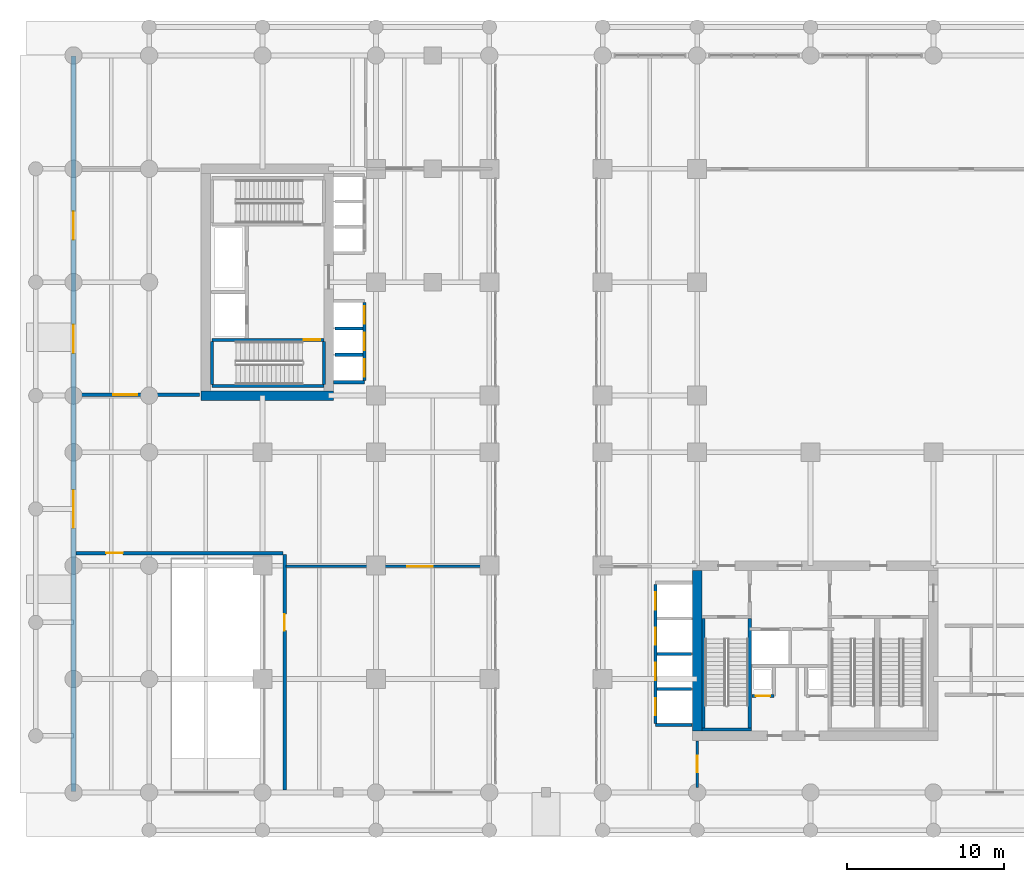
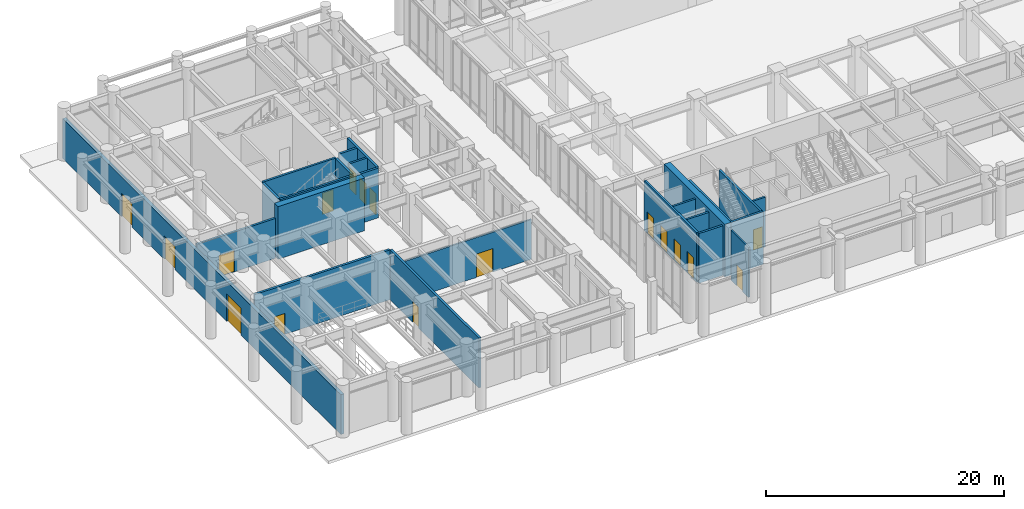
# One storey, part 14 of 23: 24 walls, 17 doors, 17 openings.
"""IFC4 building model written with IfcOpenShell, lengths in metres."""

from ifc_helpers import new_model, si_unit, derived_unit, direction, frame, frame_2d, origin, place, context, subcontext, project, spatial, rectangle, extrude, source, transform, mapped, material, layer, layer_set, type_object, type_shapes, element, fill, save


model = new_model("IFC4")

# Units and contexts
model_context = context("Model", 3, precision=1e-05, world=origin(), true_north=direction((0.0, 1.0)))
body_context = subcontext(model_context, "Body", "Model", "MODEL_VIEW")
ifc_project = project(units=[si_unit("LENGTHUNIT", "METRE"), si_unit("AREAUNIT", "SQUARE_METRE"), si_unit("VOLUMEUNIT", "CUBIC_METRE"), si_unit("PLANEANGLEUNIT", "RADIAN"), si_unit("MASSUNIT", "GRAM", prefix="KILO"), si_unit("THERMODYNAMICTEMPERATUREUNIT", "KELVIN"), si_unit("POWERUNIT", "WATT"), derived_unit("THERMALTRANSMITTANCEUNIT", [(si_unit("POWERUNIT", "WATT"), 1), (si_unit("AREAUNIT", "SQUARE_METRE"), -1), (si_unit("THERMODYNAMICTEMPERATUREUNIT", "KELVIN"), -1)])], contexts=[model_context])

# Site, building, storey
site_placement = place(None, origin())
site = spatial("IfcSite", under=ifc_project, at=site_placement, CompositionType="ELEMENT")
building_placement = place(site_placement, origin())
building = spatial("IfcBuilding", under=site, at=building_placement, Name="Zahravan Archway Hotel and Residences", CompositionType="ELEMENT")
storey_placement = place(building_placement, origin())
storey = spatial("IfcBuildingStorey", under=building, at=storey_placement, Name="L00", CompositionType="ELEMENT", Elevation=0.0)

# Walls
ifc_material_1 = material(Name="Concrete C70/85", Category="concrete")
ifc_layer_1 = layer(ifc_material_1, 0.60009765625, Name="Concrete C70/85", Category="concrete")
ifc_layer_set_1 = layer_set([ifc_layer_1], Name="Concrete C70/85")
wall_type_1 = type_object("IfcWallType", Name="CW-CORE-600", PredefinedType="SHEAR", material=ifc_layer_set_1)
wall_1_placement = place(storey_placement, frame((34.800048828125, 3.89990234375, 0.0), z_axis=(0.0, 0.0, 1.0), x_axis=(0.0, 1.0, 0.0)))
element("IfcWall", 1, at=wall_1_placement, inside=storey, type_object=wall_type_1, Name="L00 Core A Shear W Wall 600 mm", PredefinedType="SHEAR", context=body_context, shape_type="SweptSolid", body=[
    extrude(rectangle(XDim=10.2001953125, YDim=0.60009765625, at=frame_2d((5.10009765625, 0.0))), origin(), (0.0, 0.0, 1.0), 5.39990234375),
])
wall_2_placement = place(storey_placement, frame((3.300048828125, 25.199951171875, 0.0), z_axis=(0.0, 0.0, 1.0), x_axis=(1.0, 0.0, 0.0)))
element("IfcWall", 2, at=wall_2_placement, inside=storey, type_object=wall_type_1, Name="L00 Core B Shear S Wall 600 mm", PredefinedType="SHEAR", context=body_context, shape_type="SweptSolid", body=[
    extrude(rectangle(XDim=8.39990234375, YDim=0.60009765625, at=frame_2d((4.199951171875, 0.0))), origin(), (0.0, 0.0, 1.0), 5.39990234375),
])

# Wall, openings, doors
ifc_material_2 = material(Name="Agra Buff Sandstone & Insulated Backup", Category="masonry")
ifc_layer_2 = layer(ifc_material_2, 0.320068359375, Name="Agra Buff Sandstone & Insulated Backup", Category="masonry")
ifc_layer_set_2 = layer_set([ifc_layer_2], Name="Agra Buff Sandstone & Insulated Backup")
wall_type_2 = type_object("IfcWallType", Name="EW-SAND-320", PredefinedType="SOLIDWALL", material=ifc_layer_set_2)
wall_3_placement = place(storey_placement, frame((-4.800048828125, 0.050048828125, 0.0), z_axis=(0.0, 0.0, 1.0), x_axis=(0.0, 1.0, 0.0)))
wall_3 = element("IfcWall", 3, at=wall_3_placement, inside=storey, type_object=wall_type_2, Name="L00 Podium Sandstone W Wall", PredefinedType="SOLIDWALL", context=body_context, shape_type="SweptSolid", body=[
    extrude(rectangle(XDim=46.699951171875, YDim=0.320068359375, at=frame_2d((23.35009765625, 0.0))), origin(), (0.0, 0.0, 1.0), 4.0849609375),
])
opening_1_placement = place(wall_3_placement, frame((16.75, 0.0, 0.0)))
opening_1 = element("IfcOpeningElement", 4, at=opening_1_placement, cuts=wall_3, Name="Opening ED-M1", PredefinedType="OPENING", context=body_context, shape_type="SweptSolid", body=[
    extrude(rectangle(XDim=2.39990234375, YDim=2.800048828125, at=frame_2d((1.199951171875, 1.39990234375))), frame((0.0, 0.169921875, 0.0), z_axis=(0.0, -1.0, 0.0), x_axis=(1.0, 0.0, 0.0)), (0.0, 0.0, 1.0), 0.340087890625),
])
opening_2_placement = place(wall_3_placement, frame((27.85009765625, 0.0, 0.0)))
opening_2 = element("IfcOpeningElement", 5, at=opening_2_placement, cuts=wall_3, Name="Opening ED-X2", PredefinedType="OPENING", context=body_context, shape_type="SweptSolid", body=[
    extrude(rectangle(XDim=1.800048828125, YDim=2.39990234375, at=frame_2d((0.89990234375, 1.199951171875))), frame((0.0, 0.169921875, 0.0), z_axis=(0.0, -1.0, 0.0), x_axis=(1.0, 0.0, 0.0)), (0.0, 0.0, 1.0), 0.340087890625),
])
opening_3_placement = place(wall_3_placement, frame((35.050048828125, 0.0, 0.0)))
opening_3 = element("IfcOpeningElement", 6, at=opening_3_placement, cuts=wall_3, Name="Opening ED-X2", PredefinedType="OPENING", context=body_context, shape_type="SweptSolid", body=[
    extrude(rectangle(XDim=1.800048828125, YDim=2.39990234375, at=frame_2d((0.89990234375, 1.199951171875))), frame((0.0, 0.169921875, 0.0), z_axis=(0.0, -1.0, 0.0), x_axis=(1.0, 0.0, 0.0)), (0.0, 0.0, 1.0), 0.340087890625),
])
ifc_material_3 = material(Name="Bronze-Anodized Glazed Aluminium", Category="aluminium")
door_type_1 = type_object("IfcDoorType", Name="ED-ENTRY-2400", OperationType="DOUBLE_DOOR_SINGLE_SWING", PredefinedType="DOOR", material=ifc_material_3)
shared_shape_1 = source(origin(), body_context, "Body", "SweptSolid", [
    extrude(rectangle(XDim=2.39990234375, YDim=2.800048828125, at=frame_2d((1.199951171875, 1.39990234375))), frame((0.0, 0.02490234375, 0.0), z_axis=(0.0, -1.0, 0.0), x_axis=(1.0, 0.0, 0.0)), (0.0, 0.0, 1.0), 0.050048828125),
])
type_shapes(door_type_1, [shared_shape_1])
door_1_placement = place(opening_1_placement, origin())
door_1 = element("IfcDoor", 7, at=door_1_placement, inside=storey, type_object=door_type_1, Name="L00 West Colonnade Station Concourse Doors", OperationType="DOUBLE_DOOR_SINGLE_SWING", OverallHeight=2.800048828125, OverallWidth=2.39990234375, PredefinedType="DOOR", context=body_context, shape_type="MappedRepresentation", body=[
    mapped(shared_shape_1, transform((0.0, 0.0, 0.0), scale=1.0)),
])
fill(opening_1, door_1)
ifc_material_4 = material(Name="Fire-Rated Painted Steel", Category="steel")
door_type_2 = type_object("IfcDoorType", Name="ED-EXIT-1800", OperationType="DOUBLE_DOOR_SINGLE_SWING", PredefinedType="DOOR", material=ifc_material_4)
shared_shape_2 = source(origin(), body_context, "Body", "SweptSolid", [
    extrude(rectangle(XDim=1.800048828125, YDim=2.39990234375, at=frame_2d((0.89990234375, 1.199951171875))), frame((0.0, 0.02490234375, 0.0), z_axis=(0.0, -1.0, 0.0), x_axis=(1.0, 0.0, 0.0)), (0.0, 0.0, 1.0), 0.050048828125),
])
type_shapes(door_type_2, [shared_shape_2])
door_2_placement = place(opening_2_placement, origin())
door_2 = element("IfcDoor", 8, at=door_2_placement, inside=storey, type_object=door_type_2, Name="L00 Core B West Exit Discharge Doors 1", OperationType="DOUBLE_DOOR_SINGLE_SWING", OverallHeight=2.39990234375, OverallWidth=1.800048828125, PredefinedType="DOOR", context=body_context, shape_type="MappedRepresentation", body=[
    mapped(shared_shape_2, transform((0.0, 0.0, 0.0), scale=1.0)),
])
fill(opening_2, door_2)
door_3_placement = place(opening_3_placement, origin())
door_3 = element("IfcDoor", 9, at=door_3_placement, inside=storey, type_object=door_type_2, Name="L00 Core B West Exit Discharge Doors 2", OperationType="DOUBLE_DOOR_SINGLE_SWING", OverallHeight=2.39990234375, OverallWidth=1.800048828125, PredefinedType="DOOR", context=body_context, shape_type="MappedRepresentation", body=[
    mapped(shared_shape_2, transform((0.0, 0.0, 0.0), scale=1.0)),
])
fill(opening_3, door_3)

# Wall, opening, door
ifc_material_5 = material(Name="Fire-Rated Gypsum & Concrete Block", Category="concrete")
ifc_layer_3 = layer(ifc_material_5, 0.219970703125, Name="Fire-Rated Gypsum & Concrete Block", Category="concrete")
ifc_layer_set_3 = layer_set([ifc_layer_3], Name="Fire-Rated Gypsum & Concrete Block")
wall_type_3 = type_object("IfcWallType", Name="PW-COMP-220", PredefinedType="PARTITIONING", material=ifc_layer_set_3)
wall_4_placement = place(storey_placement, frame((-4.409912109375, 25.25, 0.0), z_axis=(0.0, 0.0, 1.0), x_axis=(1.0, 0.0, 0.0)))
wall_4 = element("IfcWall", 10, at=wall_4_placement, inside=storey, type_object=wall_type_3, Name="L00 Partition L0-EPBS", PredefinedType="PARTITIONING", context=body_context, shape_type="SweptSolid", body=[
    extrude(rectangle(XDim=7.619873046875, YDim=0.219970703125, at=frame_2d((3.81005859375, 0.0))), origin(), (0.0, 0.0, 1.0), 4.0849609375),
])
opening_4_placement = place(wall_4_placement, frame((2.14404296875, 0.0, 0.0)))
opening_4 = element("IfcOpeningElement", 11, at=opening_4_placement, cuts=wall_4, Name="Opening FD-L1", PredefinedType="OPENING", context=body_context, shape_type="SweptSolid", body=[
    extrude(rectangle(XDim=1.5, YDim=2.199951171875, at=frame_2d((0.75, 1.10009765625))), frame((0.0, 0.1201171875, 0.0), z_axis=(0.0, -1.0, 0.0), x_axis=(1.0, 0.0, 0.0)), (0.0, 0.0, 1.0), 0.239990234375),
])
door_type_3 = type_object("IfcDoorType", Name="FD-LOBBY-1500", OperationType="DOUBLE_DOOR_SINGLE_SWING", PredefinedType="DOOR", material=ifc_material_4)
shared_shape_3 = source(origin(), body_context, "Body", "SweptSolid", [
    extrude(rectangle(XDim=1.5, YDim=2.199951171875, at=frame_2d((0.75, 1.10009765625))), frame((0.0, 0.02490234375, 0.0), z_axis=(0.0, -1.0, 0.0), x_axis=(1.0, 0.0, 0.0)), (0.0, 0.0, 1.0), 0.050048828125),
])
type_shapes(door_type_3, [shared_shape_3])
door_4_placement = place(opening_4_placement, frame((1.5, 0.0, 0.0), z_axis=(0.0, 0.0, 1.0), x_axis=(-1.0, 0.0, 0.0)))
door_4 = element("IfcDoor", 12, at=door_4_placement, inside=storey, type_object=door_type_3, Name="L00 Core B Exit Passage Door", OperationType="DOUBLE_DOOR_SINGLE_SWING", OverallHeight=2.199951171875, OverallWidth=1.5, PredefinedType="DOOR", context=body_context, shape_type="MappedRepresentation", body=[
    mapped(shared_shape_3, transform((0.0, 0.0, 0.0), scale=1.0)),
])
fill(opening_4, door_4)

wall_5_placement = place(storey_placement, frame((8.60009765625, 0.16796875, 0.0), z_axis=(0.0, 0.0, 1.0), x_axis=(0.0, 1.0, 0.0)))
wall_5 = element("IfcWall", 13, at=wall_5_placement, inside=storey, type_object=wall_type_3, Name="L00 Partition L0-RMPE", PredefinedType="PARTITIONING", context=body_context, shape_type="SweptSolid", body=[
    extrude(rectangle(XDim=14.942138671875, YDim=0.219970703125, at=frame_2d((7.47119140625, 0.0))), origin(), (0.0, 0.0, 1.0), 5.10009765625),
])
opening_5_placement = place(wall_5_placement, frame((10.10693359375, 0.0, 0.0)))
opening_5 = element("IfcOpeningElement", 14, at=opening_5_placement, cuts=wall_5, Name="Opening FD-L2", PredefinedType="OPENING", context=body_context, shape_type="SweptSolid", body=[
    extrude(rectangle(XDim=1.050048828125, YDim=2.14990234375, at=frame_2d((0.52490234375, 1.074951171875))), frame((0.0, 0.1201171875, 0.0), z_axis=(0.0, -1.0, 0.0), x_axis=(1.0, 0.0, 0.0)), (0.0, 0.0, 1.0), 0.239990234375),
])
door_type_4 = type_object("IfcDoorType", Name="FD-LOBBY-1100", OperationType="NOTDEFINED", PredefinedType="DOOR", material=ifc_material_4)
shared_shape_4 = source(origin(), body_context, "Body", "SweptSolid", [
    extrude(rectangle(XDim=1.050048828125, YDim=2.14990234375, at=frame_2d((0.52490234375, 1.074951171875))), frame((0.0, 0.02490234375, 0.0), z_axis=(0.0, -1.0, 0.0), x_axis=(1.0, 0.0, 0.0)), (0.0, 0.0, 1.0), 0.050048828125),
])
type_shapes(door_type_4, [shared_shape_4])
door_5_placement = place(opening_5_placement, origin())
door_5 = element("IfcDoor", 15, at=door_5_placement, inside=storey, type_object=door_type_4, Name="L00 Ramp Vestibule Door", OperationType="SINGLE_SWING_LEFT", OverallHeight=2.14990234375, OverallWidth=1.050048828125, PredefinedType="DOOR", context=body_context, shape_type="MappedRepresentation", body=[
    mapped(shared_shape_4, transform((0.0, 0.0, 0.0), scale=1.0)),
])
fill(opening_5, door_5)

wall_6_placement = place(storey_placement, frame((-4.632080078125, 15.199951171875, 0.0), z_axis=(0.0, 0.0, 1.0), x_axis=(1.0, 0.0, 0.0)))
wall_6 = element("IfcWall", 16, at=wall_6_placement, inside=storey, type_object=wall_type_3, Name="L00 Partition L0-RMPN", PredefinedType="PARTITIONING", context=body_context, shape_type="SweptSolid", body=[
    extrude(rectangle(XDim=13.14208984375, YDim=0.219970703125, at=frame_2d((6.571044921875, 0.0))), origin(), (0.0, 0.0, 1.0), 5.10009765625),
])
opening_6_placement = place(wall_6_placement, frame((1.906982421875, 0.0, 0.0)))
opening_6 = element("IfcOpeningElement", 17, at=opening_6_placement, cuts=wall_6, Name="Opening FD-L2", PredefinedType="OPENING", context=body_context, shape_type="SweptSolid", body=[
    extrude(rectangle(XDim=1.050048828125, YDim=2.14990234375, at=frame_2d((0.52490234375, 1.074951171875))), frame((0.0, 0.1201171875, 0.0), z_axis=(0.0, -1.0, 0.0), x_axis=(1.0, 0.0, 0.0)), (0.0, 0.0, 1.0), 0.239990234375),
])
door_6_placement = place(opening_6_placement, origin())
door_6 = element("IfcDoor", 18, at=door_6_placement, inside=storey, type_object=door_type_4, Name="L00 Ramp Vestibule to Entrance Hall Door", OperationType="SINGLE_SWING_RIGHT", OverallHeight=2.14990234375, OverallWidth=1.050048828125, PredefinedType="DOOR", context=body_context, shape_type="MappedRepresentation", body=[
    mapped(shared_shape_4, transform((0.0, 0.0, 0.0), scale=1.0)),
])
fill(opening_6, door_6)

ifc_layer_4 = layer(ifc_material_5, 0.159912109375, Name="Fire-Rated Gypsum & Concrete Block", Category="concrete")
ifc_layer_set_4 = layer_set([ifc_layer_4], Name="Fire-Rated Gypsum & Concrete Block")
wall_type_4 = type_object("IfcWallType", Name="PW-CORR-160", PredefinedType="PARTITIONING", material=ifc_layer_set_4)
wall_7_placement = place(storey_placement, frame((34.800048828125, 0.320068359375, 0.0), z_axis=(0.0, 0.0, 1.0), x_axis=(0.0, 1.0, 0.0)))
wall_7 = element("IfcWall", 19, at=wall_7_placement, inside=storey, type_object=wall_type_4, Name="L00 Partition L0-SPW", PredefinedType="PARTITIONING", context=body_context, shape_type="SweptSolid", body=[
    extrude(rectangle(XDim=2.9599609375, YDim=0.159912109375, at=frame_2d((1.47998046875, 0.0))), origin(), (0.0, 0.0, 1.0), 5.10009765625),
])
opening_7_placement = place(wall_7_placement, frame((0.955078125, 0.0, 0.0)))
opening_7 = element("IfcOpeningElement", 20, at=opening_7_placement, cuts=wall_7, Name="Opening FD-L2", PredefinedType="OPENING", context=body_context, shape_type="SweptSolid", body=[
    extrude(rectangle(XDim=1.050048828125, YDim=2.14990234375, at=frame_2d((0.52490234375, 1.074951171875))), frame((0.0, 0.08984375, 0.0), z_axis=(0.0, -1.0, 0.0), x_axis=(1.0, 0.0, 0.0)), (0.0, 0.0, 1.0), 0.179931640625),
])
door_7_placement = place(opening_7_placement, origin())
door_7 = element("IfcDoor", 21, at=door_7_placement, inside=storey, type_object=door_type_4, Name="L00 South Riser Passage Door", OperationType="SINGLE_SWING_RIGHT", OverallHeight=2.14990234375, OverallWidth=1.050048828125, PredefinedType="DOOR", context=body_context, shape_type="MappedRepresentation", body=[
    mapped(shared_shape_4, transform((0.0, 0.0, 0.0), scale=1.0)),
])
fill(opening_7, door_7)

wall_8_placement = place(storey_placement, frame((8.68994140625, 14.35009765625, 0.0), z_axis=(0.0, 0.0, 1.0), x_axis=(1.0, 0.0, 0.0)))
wall_8 = element("IfcWall", 22, at=wall_8_placement, inside=storey, type_object=wall_type_4, Name="L00 Partition L0-HLOB", PredefinedType="PARTITIONING", context=body_context, shape_type="SweptSolid", body=[
    extrude(rectangle(XDim=13.070068359375, YDim=0.159912109375, at=frame_2d((6.53515625, 0.0))), origin(), (0.0, 0.0, 1.0), 4.0849609375),
])
opening_8_placement = place(wall_8_placement, frame((7.7099609375, 0.0, 0.0)))
opening_8 = element("IfcOpeningElement", 23, at=opening_8_placement, cuts=wall_8, Name="Opening D-P2", PredefinedType="OPENING", context=body_context, shape_type="SweptSolid", body=[
    extrude(rectangle(XDim=1.60009765625, YDim=2.39990234375, at=frame_2d((0.800048828125, 1.199951171875))), frame((0.0, 0.08984375, 0.0), z_axis=(0.0, -1.0, 0.0), x_axis=(1.0, 0.0, 0.0)), (0.0, 0.0, 1.0), 0.179931640625),
])
door_type_5 = type_object("IfcDoorType", Name="ID-PUBLIC-1600", OperationType="DOUBLE_DOOR_SINGLE_SWING", PredefinedType="DOOR", material=ifc_material_3)
shared_shape_5 = source(origin(), body_context, "Body", "SweptSolid", [
    extrude(rectangle(XDim=1.60009765625, YDim=2.39990234375, at=frame_2d((0.800048828125, 1.199951171875))), frame((0.0, 0.02490234375, 0.0), z_axis=(0.0, -1.0, 0.0), x_axis=(1.0, 0.0, 0.0)), (0.0, 0.0, 1.0), 0.050048828125),
])
type_shapes(door_type_5, [shared_shape_5])
door_8_placement = place(opening_8_placement, origin())
door_8 = element("IfcDoor", 24, at=door_8_placement, inside=storey, type_object=door_type_5, Name="L00 Hotel Reception to West Station Hall Doors", OperationType="DOUBLE_DOOR_SINGLE_SWING", OverallHeight=2.39990234375, OverallWidth=1.60009765625, PredefinedType="DOOR", context=body_context, shape_type="MappedRepresentation", body=[
    mapped(shared_shape_5, transform((0.0, 0.0, 0.0), scale=1.0)),
])
fill(opening_8, door_8)

ifc_layer_5 = layer(ifc_material_5, 0.199951171875, Name="Fire-Rated Gypsum & Concrete Block", Category="concrete")
ifc_layer_set_5 = layer_set([ifc_layer_5], Name="Fire-Rated Gypsum & Concrete Block")
wall_type_5 = type_object("IfcWallType", Name="PW-SHAFT-200", PredefinedType="PARTITIONING", material=ifc_layer_set_5)
wall_9_placement = place(storey_placement, frame((38.2900390625, 6.1201171875, 0.0), z_axis=(0.0, 0.0, 1.0), x_axis=(1.0, 0.0, 0.0)))
wall_9 = element("IfcWall", 25, at=wall_9_placement, inside=storey, type_object=wall_type_5, Name="L00 Partition CA-SMKS", PredefinedType="PARTITIONING", context=body_context, shape_type="SweptSolid", body=[
    extrude(rectangle(XDim=1.3798828125, YDim=0.199951171875, at=frame_2d((0.68994140625, 0.0))), origin(), (0.0, 0.0, 1.0), 5.10009765625),
])
opening_9_placement = place(wall_9_placement, frame((0.239990234375, 0.0, 0.0)))
opening_9 = element("IfcOpeningElement", 26, at=opening_9_placement, cuts=wall_9, Name="Opening FD-R1", PredefinedType="OPENING", context=body_context, shape_type="SweptSolid", body=[
    extrude(rectangle(XDim=0.89990234375, YDim=2.10009765625, at=frame_2d((0.449951171875, 1.050048828125))), frame((0.0, 0.10986328125, 0.0), z_axis=(0.0, -1.0, 0.0), x_axis=(1.0, 0.0, 0.0)), (0.0, 0.0, 1.0), 0.219970703125),
])
door_type_6 = type_object("IfcDoorType", Name="FD-RISER-900", OperationType="NOTDEFINED", PredefinedType="DOOR", material=ifc_material_4)
shared_shape_6 = source(origin(), body_context, "Body", "SweptSolid", [
    extrude(rectangle(XDim=0.89990234375, YDim=2.10009765625, at=frame_2d((0.449951171875, 1.050048828125))), frame((0.0, 0.02490234375, 0.0), z_axis=(0.0, -1.0, 0.0), x_axis=(1.0, 0.0, 0.0)), (0.0, 0.0, 1.0), 0.050048828125),
])
type_shapes(door_type_6, [shared_shape_6])
door_9_placement = place(opening_9_placement, origin())
door_9 = element("IfcDoor", 27, at=door_9_placement, inside=storey, type_object=door_type_6, Name="L00 Smoke Riser Access Door", OperationType="SINGLE_SWING_RIGHT", OverallHeight=2.10009765625, OverallWidth=0.89990234375, PredefinedType="DOOR", context=body_context, shape_type="MappedRepresentation", body=[
    mapped(shared_shape_6, transform((0.0, 0.0, 0.0), scale=1.0)),
])
fill(opening_9, door_9)

# Wall
wall_10_placement = place(storey_placement, frame((32.159912109375, 4.280029296875, 0.0), z_axis=(0.0, 0.0, 1.0), x_axis=(1.0, 0.0, 0.0)))
element("IfcWall", 28, at=wall_10_placement, inside=storey, type_object=wall_type_5, Name="L00 Partition B3-S", PredefinedType="PARTITIONING", context=body_context, shape_type="SweptSolid", body=[
    extrude(rectangle(XDim=2.31005859375, YDim=0.199951171875, at=frame_2d((1.155029296875, 0.0))), origin(), (0.0, 0.0, 1.0), 5.10009765625),
])

# Wall, openings, doors
wall_11_placement = place(storey_placement, frame((32.14990234375, 4.389892578125, 0.0), z_axis=(0.0, 0.0, 1.0), x_axis=(0.0, 1.0, 0.0)))
wall_11 = element("IfcWall", 29, at=wall_11_placement, inside=storey, type_object=wall_type_5, Name="L00 Partition B3-W", PredefinedType="PARTITIONING", context=body_context, shape_type="SweptSolid", body=[
    extrude(rectangle(XDim=8.820068359375, YDim=0.199951171875, at=frame_2d((4.41015625, 0.0))), origin(), (0.0, 0.0, 1.0), 5.10009765625),
])
opening_10_placement = place(wall_11_placement, frame((0.5, 0.0, 0.0)))
opening_10 = element("IfcOpeningElement", 30, at=opening_10_placement, cuts=wall_11, Name="Opening LD", PredefinedType="OPENING", context=body_context, shape_type="SweptSolid", body=[
    extrude(rectangle(XDim=1.10009765625, YDim=2.199951171875, at=frame_2d((0.550048828125, 1.10009765625))), frame((0.0, 0.10986328125, 0.0), z_axis=(0.0, -1.0, 0.0), x_axis=(1.0, 0.0, 0.0)), (0.0, 0.0, 1.0), 0.219970703125),
])
opening_11_placement = place(wall_11_placement, frame((2.739990234375, 0.0, 0.0)))
opening_11 = element("IfcOpeningElement", 31, at=opening_11_placement, cuts=wall_11, Name="Opening LD", PredefinedType="OPENING", context=body_context, shape_type="SweptSolid", body=[
    extrude(rectangle(XDim=1.10009765625, YDim=2.199951171875, at=frame_2d((0.550048828125, 1.10009765625))), frame((0.0, 0.10986328125, 0.0), z_axis=(0.0, -1.0, 0.0), x_axis=(1.0, 0.0, 0.0)), (0.0, 0.0, 1.0), 0.219970703125),
])
opening_12_placement = place(wall_11_placement, frame((4.97998046875, 0.0, 0.0)))
opening_12 = element("IfcOpeningElement", 32, at=opening_12_placement, cuts=wall_11, Name="Opening LD", PredefinedType="OPENING", context=body_context, shape_type="SweptSolid", body=[
    extrude(rectangle(XDim=1.10009765625, YDim=2.199951171875, at=frame_2d((0.550048828125, 1.10009765625))), frame((0.0, 0.10986328125, 0.0), z_axis=(0.0, -1.0, 0.0), x_axis=(1.0, 0.0, 0.0)), (0.0, 0.0, 1.0), 0.219970703125),
])
opening_13_placement = place(wall_11_placement, frame((7.219970703125, 0.0, 0.0)))
opening_13 = element("IfcOpeningElement", 33, at=opening_13_placement, cuts=wall_11, Name="Opening LD", PredefinedType="OPENING", context=body_context, shape_type="SweptSolid", body=[
    extrude(rectangle(XDim=1.10009765625, YDim=2.199951171875, at=frame_2d((0.550048828125, 1.10009765625))), frame((0.0, 0.10986328125, 0.0), z_axis=(0.0, -1.0, 0.0), x_axis=(1.0, 0.0, 0.0)), (0.0, 0.0, 1.0), 0.219970703125),
])
ifc_material_6 = material(Name="Brushed Stainless Steel", Category="steel")
door_type_7 = type_object("IfcDoorType", Name="DR-LIFT-LD", OperationType="SLIDING_TO_LEFT", PredefinedType="DOOR", material=ifc_material_6)
shared_shape_7 = source(origin(), body_context, "Body", "SweptSolid", [
    extrude(rectangle(XDim=1.10009765625, YDim=2.199951171875, at=frame_2d((0.550048828125, 1.10009765625))), frame((0.0, 0.02490234375, 0.0), z_axis=(0.0, -1.0, 0.0), x_axis=(1.0, 0.0, 0.0)), (0.0, 0.0, 1.0), 0.050048828125),
])
type_shapes(door_type_7, [shared_shape_7])
door_10_placement = place(opening_10_placement, origin())
door_10 = element("IfcDoor", 34, at=door_10_placement, inside=storey, type_object=door_type_7, Name="L00 Lift LP-7 Sliding Landing Door", OperationType="SLIDING_TO_LEFT", OverallHeight=2.199951171875, OverallWidth=1.10009765625, PredefinedType="DOOR", context=body_context, shape_type="MappedRepresentation", body=[
    mapped(shared_shape_7, transform((0.0, 0.0, 0.0), scale=1.0)),
])
fill(opening_10, door_10)
door_11_placement = place(opening_11_placement, origin())
door_11 = element("IfcDoor", 35, at=door_11_placement, inside=storey, type_object=door_type_7, Name="L00 Lift LP-8 Sliding Landing Door", OperationType="SLIDING_TO_LEFT", OverallHeight=2.199951171875, OverallWidth=1.10009765625, PredefinedType="DOOR", context=body_context, shape_type="MappedRepresentation", body=[
    mapped(shared_shape_7, transform((0.0, 0.0, 0.0), scale=1.0)),
])
fill(opening_11, door_11)
door_12_placement = place(opening_12_placement, origin())
door_12 = element("IfcDoor", 36, at=door_12_placement, inside=storey, type_object=door_type_7, Name="L00 Lift LP-9 Sliding Landing Door", OperationType="SLIDING_TO_LEFT", OverallHeight=2.199951171875, OverallWidth=1.10009765625, PredefinedType="DOOR", context=body_context, shape_type="MappedRepresentation", body=[
    mapped(shared_shape_7, transform((0.0, 0.0, 0.0), scale=1.0)),
])
fill(opening_12, door_12)
door_13_placement = place(opening_13_placement, origin())
door_13 = element("IfcDoor", 37, at=door_13_placement, inside=storey, type_object=door_type_7, Name="L00 Lift LP-10 Sliding Landing Door", OperationType="SLIDING_TO_LEFT", OverallHeight=2.199951171875, OverallWidth=1.10009765625, PredefinedType="DOOR", context=body_context, shape_type="MappedRepresentation", body=[
    mapped(shared_shape_7, transform((0.0, 0.0, 0.0), scale=1.0)),
])
fill(opening_13, door_13)

# Walls
for number, where, z_axis, x_axis, name in (
    (38, (32.260009765625, 6.56005859375, 0.0), (0.0, 0.0, 1.0), (1.0, 0.0, 0.0), "L00 Partition B3-D"),
    (39, (32.260009765625, 8.800048828125, 0.0), (0.0, 0.0, 1.0), (1.0, 0.0, 0.0), "L00 Partition B3-D"),
):
    element("IfcWall", number, at=place(storey_placement, frame(where, z_axis=z_axis, x_axis=x_axis)), inside=storey, type_object=wall_type_5, Name=name, PredefinedType="PARTITIONING", context=body_context, shape_type="SweptSolid", body=[
        extrude(rectangle(XDim=2.179931640625, YDim=0.199951171875, at=frame_2d((1.08984375, 0.0))), origin(), (0.0, 0.0, 1.0), 5.10009765625),
    ])
wall_12_placement = place(storey_placement, frame((11.7099609375, 26.050048828125, 0.0), z_axis=(0.0, 0.0, 1.0), x_axis=(1.0, 0.0, 0.0)))
element("IfcWall", 40, at=wall_12_placement, inside=storey, type_object=wall_type_5, Name="L00 Partition B1-S", PredefinedType="PARTITIONING", context=body_context, shape_type="SweptSolid", body=[
    extrude(rectangle(XDim=1.9599609375, YDim=0.199951171875, at=frame_2d((0.97998046875, 0.0))), origin(), (0.0, 0.0, 1.0), 5.10009765625),
])

# Wall, openings, doors
wall_13_placement = place(storey_placement, frame((13.679931640625, 26.159912109375, 0.0), z_axis=(0.0, 0.0, 1.0), x_axis=(0.0, 1.0, 0.0)))
wall_13 = element("IfcWall", 41, at=wall_13_placement, inside=storey, type_object=wall_type_5, Name="L00 Partition B1-E", PredefinedType="PARTITIONING", context=body_context, shape_type="SweptSolid", body=[
    extrude(rectangle(XDim=4.940185546875, YDim=0.199951171875, at=frame_2d((2.47021484375, 0.0))), origin(), (0.0, 0.0, 1.0), 5.10009765625),
])
opening_14_placement = place(wall_13_placement, frame((0.239990234375, 0.0, 0.0)))
opening_14 = element("IfcOpeningElement", 42, at=opening_14_placement, cuts=wall_13, Name="Opening LD", PredefinedType="OPENING", context=body_context, shape_type="SweptSolid", body=[
    extrude(rectangle(XDim=1.10009765625, YDim=2.199951171875, at=frame_2d((0.550048828125, 1.10009765625))), frame((0.0, 0.10986328125, 0.0), z_axis=(0.0, -1.0, 0.0), x_axis=(1.0, 0.0, 0.0)), (0.0, 0.0, 1.0), 0.219970703125),
])
opening_15_placement = place(wall_13_placement, frame((1.919921875, 0.0, 0.0)))
opening_15 = element("IfcOpeningElement", 43, at=opening_15_placement, cuts=wall_13, Name="Opening LD", PredefinedType="OPENING", context=body_context, shape_type="SweptSolid", body=[
    extrude(rectangle(XDim=1.10009765625, YDim=2.199951171875, at=frame_2d((0.550048828125, 1.10009765625))), frame((0.0, 0.10986328125, 0.0), z_axis=(0.0, -1.0, 0.0), x_axis=(1.0, 0.0, 0.0)), (0.0, 0.0, 1.0), 0.219970703125),
])
opening_16_placement = place(wall_13_placement, frame((3.60009765625, 0.0, 0.0)))
opening_16 = element("IfcOpeningElement", 44, at=opening_16_placement, cuts=wall_13, Name="Opening LD", PredefinedType="OPENING", context=body_context, shape_type="SweptSolid", body=[
    extrude(rectangle(XDim=1.10009765625, YDim=2.199951171875, at=frame_2d((0.550048828125, 1.10009765625))), frame((0.0, 0.10986328125, 0.0), z_axis=(0.0, -1.0, 0.0), x_axis=(1.0, 0.0, 0.0)), (0.0, 0.0, 1.0), 0.219970703125),
])
door_14_placement = place(opening_14_placement, origin())
door_14 = element("IfcDoor", 45, at=door_14_placement, inside=storey, type_object=door_type_7, Name="L00 Lift LP-1 Sliding Landing Door", OperationType="SLIDING_TO_LEFT", OverallHeight=2.199951171875, OverallWidth=1.10009765625, PredefinedType="DOOR", context=body_context, shape_type="MappedRepresentation", body=[
    mapped(shared_shape_7, transform((0.0, 0.0, 0.0), scale=1.0)),
])
fill(opening_14, door_14)
door_15_placement = place(opening_15_placement, origin())
door_15 = element("IfcDoor", 46, at=door_15_placement, inside=storey, type_object=door_type_7, Name="L00 Lift LP-2 Sliding Landing Door", OperationType="SLIDING_TO_LEFT", OverallHeight=2.199951171875, OverallWidth=1.10009765625, PredefinedType="DOOR", context=body_context, shape_type="MappedRepresentation", body=[
    mapped(shared_shape_7, transform((0.0, 0.0, 0.0), scale=1.0)),
])
fill(opening_15, door_15)
door_16_placement = place(opening_16_placement, origin())
door_16 = element("IfcDoor", 47, at=door_16_placement, inside=storey, type_object=door_type_7, Name="L00 Lift LP-3 Sliding Landing Door", OperationType="SLIDING_TO_LEFT", OverallHeight=2.199951171875, OverallWidth=1.10009765625, PredefinedType="DOOR", context=body_context, shape_type="MappedRepresentation", body=[
    mapped(shared_shape_7, transform((0.0, 0.0, 0.0), scale=1.0)),
])
fill(opening_16, door_16)

# Walls
for number, where, z_axis, x_axis, name in (
    (48, (11.81005859375, 27.7900390625, 0.0), (0.0, 0.0, 1.0), (1.0, 0.0, 0.0), "L00 Partition B1-D"),
    (49, (11.81005859375, 29.469970703125, 0.0), (0.0, 0.0, 1.0), (1.0, 0.0, 0.0), "L00 Partition B1-D"),
):
    element("IfcWall", number, at=place(storey_placement, frame(where, z_axis=z_axis, x_axis=x_axis)), inside=storey, type_object=wall_type_5, Name=name, PredefinedType="PARTITIONING", context=body_context, shape_type="SweptSolid", body=[
        extrude(rectangle(XDim=1.760009765625, YDim=0.199951171875, at=frame_2d((0.8798828125, 0.0))), origin(), (0.0, 0.0, 1.0), 5.10009765625),
    ])
ifc_material_7 = material(Name="Concrete C50/60", Category="concrete")
ifc_layer_6 = layer(ifc_material_7, 0.199951171875, Name="Concrete C50/60", Category="concrete")
ifc_layer_set_6 = layer_set([ifc_layer_6], Name="Concrete C50/60")
wall_type_6 = type_object("IfcWallType", Name="SW-STAIR-200", PredefinedType="SHEAR", material=ifc_layer_set_6)
wall_14_placement = place(storey_placement, frame((35.10009765625, 4.0, 0.0), z_axis=(0.0, 0.0, 1.0), x_axis=(1.0, 0.0, 0.0)))
element("IfcWall", 50, at=wall_14_placement, inside=storey, type_object=wall_type_6, Name="L00 Stairwell RC Wall CA-SA1S", PredefinedType="SHEAR", context=body_context, shape_type="SweptSolid", body=[
    extrude(rectangle(XDim=3.139892578125, YDim=0.199951171875, at=frame_2d((1.56982421875, 0.0))), origin(), (0.0, 0.0, 1.0), 5.39990234375),
])
for number, where, z_axis, x_axis, name in (
    (51, (35.199951171875, 4.10009765625, 0.0), (0.0, 0.0, 1.0), (0.0, 1.0, 0.0), "L00 Stairwell RC Wall CA-SA1W"),
    (52, (38.139892578125, 4.10009765625, 0.0), (0.0, 0.0, 1.0), (0.0, 1.0, 0.0), "L00 Stairwell RC Wall CA-SA1E"),
):
    element("IfcWall", number, at=place(storey_placement, frame(where, z_axis=z_axis, x_axis=x_axis)), inside=storey, type_object=wall_type_6, Name=name, PredefinedType="SHEAR", context=body_context, shape_type="SweptSolid", body=[
        extrude(rectangle(XDim=6.949951171875, YDim=0.199951171875, at=frame_2d((3.47509765625, 0.0))), origin(), (0.0, 0.0, 1.0), 5.39990234375),
    ])
wall_15_placement = place(storey_placement, frame((4.0, 25.800048828125, 0.0), z_axis=(0.0, 0.0, 1.0), x_axis=(1.0, 0.0, 0.0)))
element("IfcWall", 53, at=wall_15_placement, inside=storey, type_object=wall_type_6, Name="L00 Stairwell RC Wall CB-SB1S", PredefinedType="SHEAR", context=body_context, shape_type="SweptSolid", body=[
    extrude(rectangle(XDim=7.10009765625, YDim=0.199951171875, at=frame_2d((3.550048828125, 0.0))), origin(), (0.0, 0.0, 1.0), 5.39990234375),
])
for number, where, z_axis, x_axis, name in (
    (54, (4.0, 25.919921875, 0.0), (0.0, 0.0, 1.0), (0.0, 1.0, 0.0), "L00 Stairwell RC Wall CB-SB1W"),
    (55, (11.10009765625, 25.919921875, 0.0), (0.0, 0.0, 1.0), (0.0, 1.0, 0.0), "L00 Stairwell RC Wall CB-SB1E"),
):
    element("IfcWall", number, at=place(storey_placement, frame(where, z_axis=z_axis, x_axis=x_axis)), inside=storey, type_object=wall_type_6, Name=name, PredefinedType="SHEAR", context=body_context, shape_type="SweptSolid", body=[
        extrude(rectangle(XDim=2.7001953125, YDim=0.199951171875, at=frame_2d((1.35009765625, 0.0))), origin(), (0.0, 0.0, 1.0), 5.39990234375),
    ])

# Wall, opening, door
wall_16_placement = place(storey_placement, frame((4.0, 28.739990234375, 0.0), z_axis=(0.0, 0.0, 1.0), x_axis=(1.0, 0.0, 0.0)))
wall_16 = element("IfcWall", 56, at=wall_16_placement, inside=storey, type_object=wall_type_6, Name="L00 Stairwell RC Wall CB-SB1N", PredefinedType="SHEAR", context=body_context, shape_type="SweptSolid", body=[
    extrude(rectangle(XDim=7.10009765625, YDim=0.199951171875, at=frame_2d((3.550048828125, 0.0))), origin(), (0.0, 0.0, 1.0), 5.39990234375),
])
opening_17_placement = place(wall_16_placement, frame((5.81494140625, 0.0, 0.0)))
opening_17 = element("IfcOpeningElement", 57, at=opening_17_placement, cuts=wall_16, Name="Opening FD-S1", PredefinedType="OPENING", context=body_context, shape_type="SweptSolid", body=[
    extrude(rectangle(XDim=1.050048828125, YDim=2.199951171875, at=frame_2d((0.52490234375, 1.10009765625))), frame((0.0, 0.10986328125, 0.0), z_axis=(0.0, -1.0, 0.0), x_axis=(1.0, 0.0, 0.0)), (0.0, 0.0, 1.0), 0.219970703125),
])
door_type_8 = type_object("IfcDoorType", Name="FD-STAIR-1100", OperationType="NOTDEFINED", PredefinedType="DOOR", material=ifc_material_4)
shared_shape_8 = source(origin(), body_context, "Body", "SweptSolid", [
    extrude(rectangle(XDim=1.050048828125, YDim=2.199951171875, at=frame_2d((0.52490234375, 1.10009765625))), frame((0.0, 0.02490234375, 0.0), z_axis=(0.0, -1.0, 0.0), x_axis=(1.0, 0.0, 0.0)), (0.0, 0.0, 1.0), 0.050048828125),
])
type_shapes(door_type_8, [shared_shape_8])
door_17_placement = place(opening_17_placement, origin())
door_17 = element("IfcDoor", 58, at=door_17_placement, inside=storey, type_object=door_type_8, Name="L00 Stair ST-B1 Door", OperationType="SINGLE_SWING_RIGHT", OverallHeight=2.199951171875, OverallWidth=1.050048828125, PredefinedType="DOOR", context=body_context, shape_type="MappedRepresentation", body=[
    mapped(shared_shape_8, transform((0.0, 0.0, 0.0), scale=1.0)),
])
fill(opening_17, door_17)

save(model, "model.ifc")
